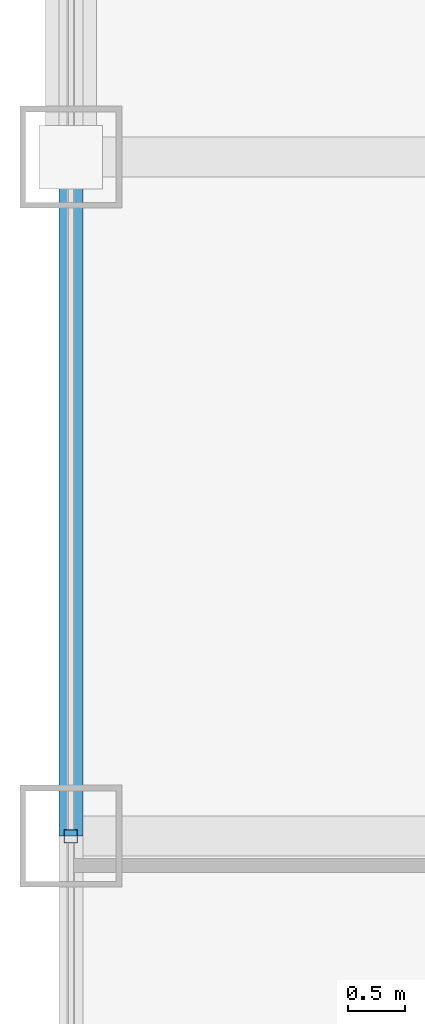
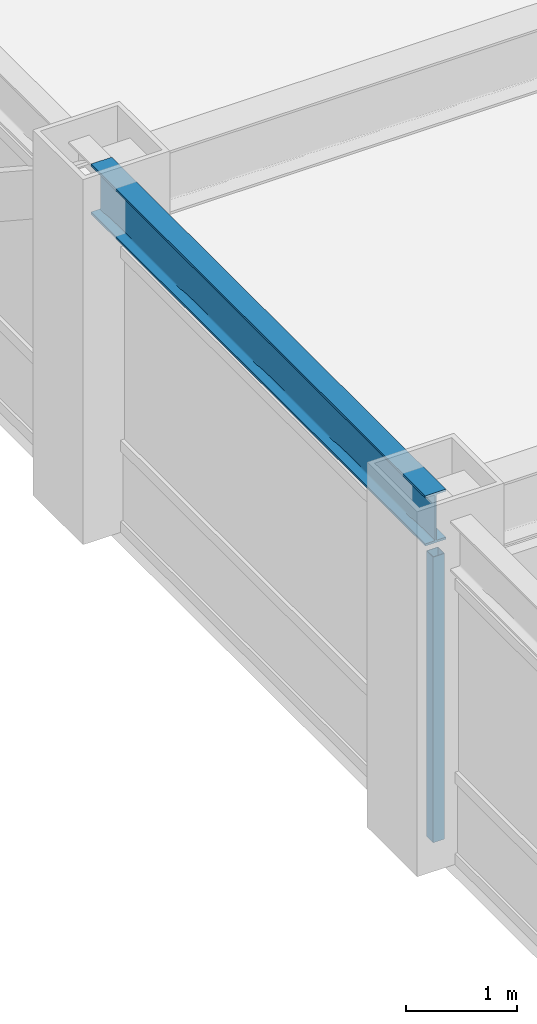
# One storey, part 6 of 22: 1 beam, 1 member, 1 element without a shape of its own.
"""IFC4 building model written with IfcOpenShell, lengths in metres."""

from ifc_helpers import new_model, si_unit, direction, frame, origin, origin_2d, place, context, subcontext, project, spatial, hollow_rectangle, i_section, extrude, source, transform, mapped, material, material_profile, profile_set, type_object, element, aggregate, save


model = new_model("IFC4")

# Units and contexts
model_context = context("Model", 3, precision=1e-05, world=origin(), true_north=direction((0.0, 1.0)))
body_context = subcontext(model_context, "Body", "Model", "MODEL_VIEW")
ifc_project = project(units=[si_unit("LENGTHUNIT", "METRE"), si_unit("AREAUNIT", "SQUARE_METRE"), si_unit("VOLUMEUNIT", "CUBIC_METRE"), si_unit("PLANEANGLEUNIT", "RADIAN"), si_unit("MASSUNIT", "GRAM", prefix="KILO")], contexts=[model_context])

# Site, building, storey
site_placement = place(None, origin())
site = spatial("IfcSite", under=ifc_project, at=site_placement, CompositionType="ELEMENT")
building_placement = place(site_placement, origin())
building = spatial("IfcBuilding", under=site, at=building_placement, Name="Khorayat Bourse Tower", CompositionType="ELEMENT")
storey_placement = place(building_placement, frame((0.0, 0.0, 305.5)))
storey = spatial("IfcBuildingStorey", under=building, at=storey_placement, Name="L72", CompositionType="ELEMENT", Elevation=305.5)

# Beam
ifc_material_1 = material(Name="Steel ASTM A992 Grade 50", Category="steel")
ifc_material_profile_1 = material_profile(ifc_material_1, i_section(OverallWidth=0.214111328125, OverallDepth=0.549072265625, WebThickness=0.0146484375, FlangeThickness=0.023681640625, FilletRadius=0.013916015625, at=origin_2d()), Name="W530X138")
ifc_profile_set_1 = profile_set([ifc_material_profile_1], Name="Steel ASTM A992 Grade 50")
beam_type = type_object("IfcBeamType", Name="BM-SPAN-530", PredefinedType="SPANDREL", material=ifc_profile_set_1)
shared_shape_1 = source(origin(), body_context, "Body", "SweptSolid", [
    extrude(i_section(OverallWidth=0.214111328125, OverallDepth=0.549072265625, WebThickness=0.0146484375, FlangeThickness=0.023681640625, FilletRadius=0.013916015625, at=origin_2d()), origin(), (0.0, 0.0, 1.0), 6.0),
])
beam_placement = place(storey_placement, frame((-28.0, 0.0, 3.505615234375), z_axis=(0.0, 1.0, 0.0), x_axis=(-1.0, 0.0, 0.0)))
element("IfcBeam", 1, at=beam_placement, inside=storey, type_object=beam_type, Name="L72 BM-SPAN-530 BM-L72-SPN-057", PredefinedType="SPANDREL", context=body_context, shape_type="MappedRepresentation", body=[
    mapped(shared_shape_1, transform((0.0, 0.0, 0.0), scale=1.0)),
])

# Curtain wall, member
ifc_material_2 = material(Name="Aluminium EN AW-6063 T6", Category="aluminium")
curtain_wall_type = type_object("IfcCurtainWallType", Name="CW-SYS-04", PredefinedType="NOTDEFINED", material=ifc_material_2)
curtain_wall_placement = place(storey_placement, origin())
curtain_wall = element("IfcCurtainWall", 2, at=curtain_wall_placement, inside=storey, type_object=curtain_wall_type, Name="L72 Curtain Wall CW-L72-W1", PredefinedType="NOTDEFINED")
ifc_material_profile_2 = material_profile(ifc_material_2, hollow_rectangle(XDim=0.1201171875, YDim=0.1201171875, WallThickness=0.0048828125, at=origin_2d()), Name="ALU 120x120x5")
ifc_profile_set_2 = profile_set([ifc_material_profile_2], Name="Aluminium EN AW-6063 T6")
member_type = type_object("IfcMemberType", Name="CWM-VERT-120", PredefinedType="MULLION", material=ifc_profile_set_2)
shared_shape_2 = source(origin(), body_context, "Body", "SweptSolid", [
    extrude(hollow_rectangle(XDim=0.1201171875, YDim=0.1201171875, WallThickness=0.0048828125, at=origin_2d()), origin(), (0.0, 0.0, 1.0), 3.1298828125),
])
member_placement = place(storey_placement, frame((-28.0, 0.0, 0.0), z_axis=(0.0, 0.0, 1.0), x_axis=(-1.0, 0.0, 0.0)))
member = element("IfcMember", 3, at=member_placement, type_object=member_type, Name="CW-L72-W1 Vertical Mullion 2", PredefinedType="MULLION", context=body_context, shape_type="MappedRepresentation", body=[
    mapped(shared_shape_2, transform((0.0, 0.0, 0.0), scale=1.0)),
])
aggregate(curtain_wall, [member])

save(model, "model.ifc")
